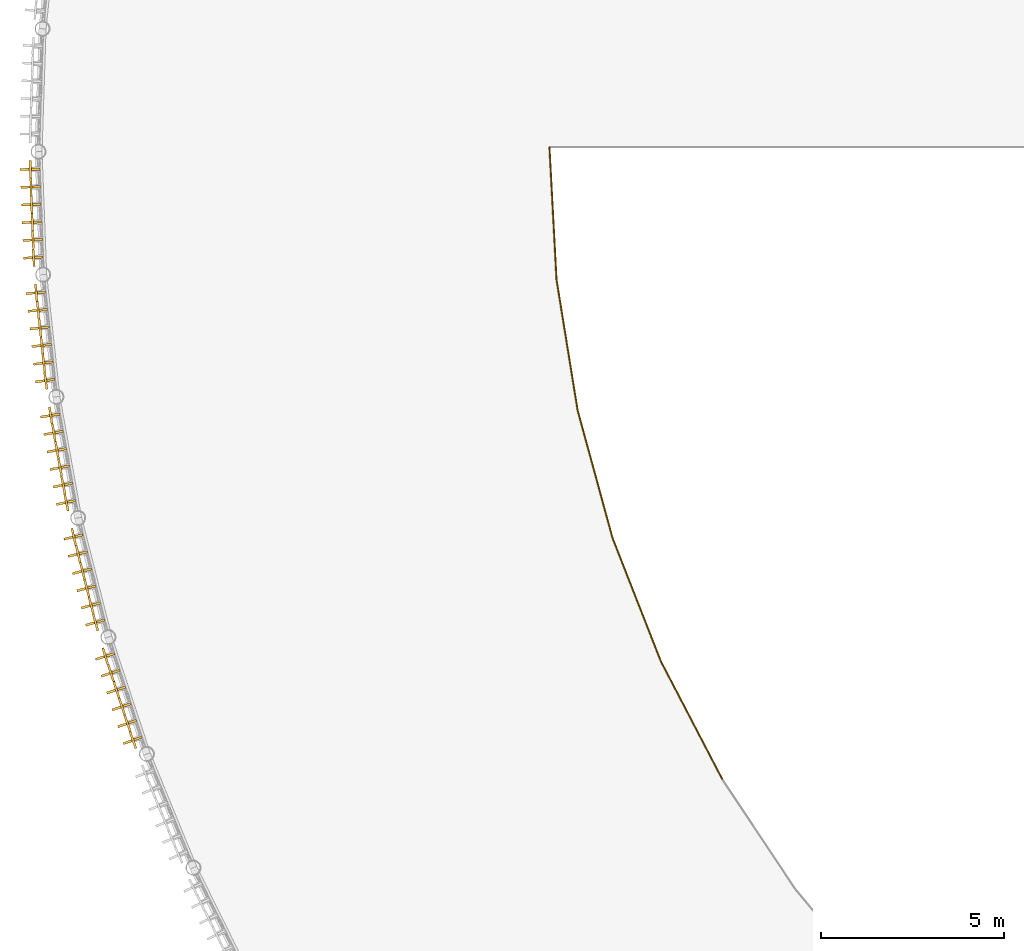
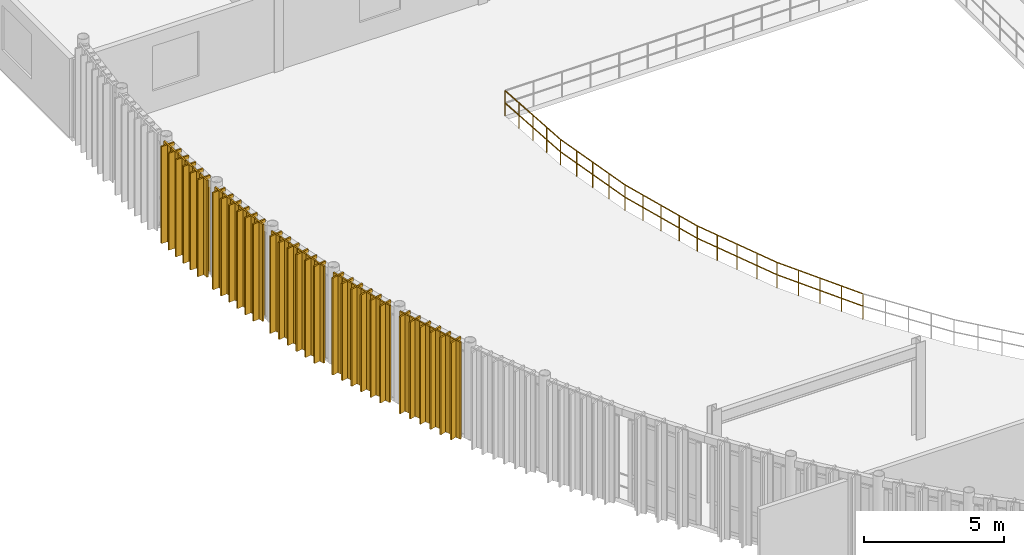
# One storey, part 49 of 54: 30 coverings, 30 shading devices, 5 railings.
"""IFC4 building model written with IfcOpenShell, lengths in metres."""

from ifc_helpers import new_model, si_unit, direction, frame, origin, origin_2d, place, context, subcontext, project, spatial, polyline, rectangle, circle, outline, extrude, material, layer, layer_set, material_profile, profile_set, type_object, element, save


model = new_model("IFC4")

# Units and contexts
model_context = context("Model", 3, precision=1e-05, world=origin(), true_north=direction((0.0, 1.0)))
body_context = subcontext(model_context, "Body", "Model", "MODEL_VIEW")
ifc_project = project(units=[si_unit("LENGTHUNIT", "METRE"), si_unit("AREAUNIT", "SQUARE_METRE"), si_unit("VOLUMEUNIT", "CUBIC_METRE"), si_unit("PLANEANGLEUNIT", "RADIAN"), si_unit("MASSUNIT", "GRAM", prefix="KILO")], contexts=[model_context])

# Site, building, storey
site_placement = place(None, origin())
site = spatial("IfcSite", under=ifc_project, at=site_placement, CompositionType="ELEMENT")
building_placement = place(site_placement, origin())
building = spatial("IfcBuilding", under=site, at=building_placement, Name="Selat Folded Stagehouse", CompositionType="ELEMENT")
storey_placement = place(building_placement, frame((0.0, 0.0, 15.0)))
storey = spatial("IfcBuildingStorey", under=building, at=storey_placement, Name="L03", CompositionType="ELEMENT", Elevation=15.0)

# Coverings
ifc_material_1 = material(Name="Bronze-anodised aluminium 6063-T6", Category="aluminium")
ifc_layer_1 = layer(ifc_material_1, 0.06005859375)
ifc_layer_set_1 = layer_set([ifc_layer_1], Name="Bronze-anodised aluminium 6063-T6")
covering_type = type_object("IfcCoveringType", Name="COV-FIN-BRZ42", PredefinedType="CLADDING", material=ifc_layer_set_1)
covering_1_placement = place(storey_placement, frame((0.0, 0.0, -0.10009765625)))
element("IfcCovering", 1, at=covering_1_placement, inside=storey, type_object=covering_type, Name="L03 drum bronze fin cladding sheath 070", PredefinedType="CLADDING", context=body_context, shape_type="SweptSolid", body=[
    extrude(outline(polyline([(0.037841796875, 47.432861328125), (-0.502197265625, 47.42626953125), (-0.50146484375, 47.3623046875), (0.03857421875, 47.368896484375), (0.037841796875, 47.432861328125)])), origin(), (0.0, 0.0, 1.0), 4.22021484375),
])
covering_2_placement = place(storey_placement, frame((0.0, 0.0, -0.10009765625)))
element("IfcCovering", 2, at=covering_2_placement, inside=storey, type_object=covering_type, Name="L03 drum bronze fin cladding sheath 076", PredefinedType="CLADDING", context=body_context, shape_type="SweptSolid", body=[
    extrude(outline(polyline([(0.055419921875, 46.9521484375), (-0.484375, 46.93994140625), (-0.48291015625, 46.8759765625), (0.056884765625, 46.88818359375), (0.055419921875, 46.9521484375)])), origin(), (0.0, 0.0, 1.0), 4.22021484375),
])
covering_3_placement = place(storey_placement, frame((0.0, 0.0, -0.10009765625)))
element("IfcCovering", 3, at=covering_3_placement, inside=storey, type_object=covering_type, Name="L03 drum bronze fin cladding sheath 082", PredefinedType="CLADDING", context=body_context, shape_type="SweptSolid", body=[
    extrude(outline(polyline([(0.0732421875, 46.471435546875), (-0.46630859375, 46.453857421875), (-0.46435546875, 46.389892578125), (0.075439453125, 46.407470703125), (0.0732421875, 46.471435546875)])), origin(), (0.0, 0.0, 1.0), 4.22021484375),
])
covering_4_placement = place(storey_placement, frame((0.0, 0.0, -0.10009765625)))
element("IfcCovering", 4, at=covering_4_placement, inside=storey, type_object=covering_type, Name="L03 drum bronze fin cladding sheath 088", PredefinedType="CLADDING", context=body_context, shape_type="SweptSolid", body=[
    extrude(outline(polyline([(0.091064453125, 45.99072265625), (-0.448486328125, 45.9677734375), (-0.44580078125, 45.90380859375), (0.09375, 45.9267578125), (0.091064453125, 45.99072265625)])), origin(), (0.0, 0.0, 1.0), 4.22021484375),
])
covering_5_placement = place(storey_placement, frame((0.0, 0.0, -0.10009765625)))
element("IfcCovering", 5, at=covering_5_placement, inside=storey, type_object=covering_type, Name="L03 drum bronze fin cladding sheath 094", PredefinedType="CLADDING", context=body_context, shape_type="SweptSolid", body=[
    extrude(outline(polyline([(0.10888671875, 45.510009765625), (-0.430419921875, 45.4814453125), (-0.427001953125, 45.41748046875), (0.1123046875, 45.446044921875), (0.10888671875, 45.510009765625)])), origin(), (0.0, 0.0, 1.0), 4.22021484375),
])
covering_6_placement = place(storey_placement, frame((0.0, 0.0, -0.10009765625)))
element("IfcCovering", 6, at=covering_6_placement, inside=storey, type_object=covering_type, Name="L03 drum bronze fin cladding sheath 100", PredefinedType="CLADDING", context=body_context, shape_type="SweptSolid", body=[
    extrude(outline(polyline([(0.126708984375, 45.029052734375), (-0.412353515625, 44.995361328125), (-0.408447265625, 44.931396484375), (0.130615234375, 44.96533203125), (0.126708984375, 45.029052734375)])), origin(), (0.0, 0.0, 1.0), 4.22021484375),
])
covering_7_placement = place(storey_placement, frame((0.0, 0.0, -0.10009765625)))
element("IfcCovering", 7, at=covering_7_placement, inside=storey, type_object=covering_type, Name="L03 drum bronze fin cladding sheath 106", PredefinedType="CLADDING", context=body_context, shape_type="SweptSolid", body=[
    extrude(outline(polyline([(0.19580078125, 44.070068359375), (-0.34228515625, 44.025390625), (-0.337158203125, 43.961669921875), (0.200927734375, 44.00634765625), (0.19580078125, 44.070068359375)])), origin(), (0.0, 0.0, 1.0), 4.22021484375),
])
covering_8_placement = place(storey_placement, frame((0.0, 0.0, -0.10009765625)))
element("IfcCovering", 8, at=covering_8_placement, inside=storey, type_object=covering_type, Name="L03 drum bronze fin cladding sheath 112", PredefinedType="CLADDING", context=body_context, shape_type="SweptSolid", body=[
    extrude(outline(polyline([(0.247314453125, 43.591796875), (-0.29052734375, 43.541748046875), (-0.28466796875, 43.47802734375), (0.253173828125, 43.528076171875), (0.247314453125, 43.591796875)])), origin(), (0.0, 0.0, 1.0), 4.22021484375),
])
covering_9_placement = place(storey_placement, frame((0.0, 0.0, -0.10009765625)))
element("IfcCovering", 9, at=covering_9_placement, inside=storey, type_object=covering_type, Name="L03 drum bronze fin cladding sheath 118", PredefinedType="CLADDING", context=body_context, shape_type="SweptSolid", body=[
    extrude(outline(polyline([(0.298583984375, 43.11328125), (-0.238525390625, 43.05810546875), (-0.23193359375, 42.994384765625), (0.30517578125, 43.0498046875), (0.298583984375, 43.11328125)])), origin(), (0.0, 0.0, 1.0), 4.22021484375),
])
covering_10_placement = place(storey_placement, frame((0.0, 0.0, -0.10009765625)))
element("IfcCovering", 10, at=covering_10_placement, inside=storey, type_object=covering_type, Name="L03 drum bronze fin cladding sheath 124", PredefinedType="CLADDING", context=body_context, shape_type="SweptSolid", body=[
    extrude(outline(polyline([(0.35009765625, 42.635009765625), (-0.1865234375, 42.57421875), (-0.17919921875, 42.5107421875), (0.357421875, 42.571533203125), (0.35009765625, 42.635009765625)])), origin(), (0.0, 0.0, 1.0), 4.22021484375),
])
covering_11_placement = place(storey_placement, frame((0.0, 0.0, -0.10009765625)))
element("IfcCovering", 11, at=covering_11_placement, inside=storey, type_object=covering_type, Name="L03 drum bronze fin cladding sheath 130", PredefinedType="CLADDING", context=body_context, shape_type="SweptSolid", body=[
    extrude(outline(polyline([(0.401611328125, 42.15673828125), (-0.134521484375, 42.090576171875), (-0.126708984375, 42.027099609375), (0.4091796875, 42.09326171875), (0.401611328125, 42.15673828125)])), origin(), (0.0, 0.0, 1.0), 4.22021484375),
])
covering_12_placement = place(storey_placement, frame((0.0, 0.0, -0.10009765625)))
element("IfcCovering", 12, at=covering_12_placement, inside=storey, type_object=covering_type, Name="L03 drum bronze fin cladding sheath 136", PredefinedType="CLADDING", context=body_context, shape_type="SweptSolid", body=[
    extrude(outline(polyline([(0.452880859375, 41.678466796875), (-0.082275390625, 41.606689453125), (-0.073974609375, 41.54345703125), (0.46142578125, 41.614990234375), (0.452880859375, 41.678466796875)])), origin(), (0.0, 0.0, 1.0), 4.22021484375),
])
covering_13_placement = place(storey_placement, frame((0.0, 0.0, -0.10009765625)))
element("IfcCovering", 13, at=covering_13_placement, inside=storey, type_object=covering_type, Name="L03 drum bronze fin cladding sheath 142", PredefinedType="CLADDING", context=body_context, shape_type="SweptSolid", body=[
    extrude(outline(polyline([(0.589111328125, 40.7265625), (0.055419921875, 40.644287109375), (0.065185546875, 40.5810546875), (0.598876953125, 40.6630859375), (0.589111328125, 40.7265625)])), origin(), (0.0, 0.0, 1.0), 4.22021484375),
])
covering_14_placement = place(storey_placement, frame((0.0, 0.0, -0.10009765625)))
element("IfcCovering", 14, at=covering_14_placement, inside=storey, type_object=covering_type, Name="L03 drum bronze fin cladding sheath 148", PredefinedType="CLADDING", context=body_context, shape_type="SweptSolid", body=[
    extrude(outline(polyline([(0.674072265625, 40.2529296875), (0.14111328125, 40.165283203125), (0.151611328125, 40.102294921875), (0.684326171875, 40.189697265625), (0.674072265625, 40.2529296875)])), origin(), (0.0, 0.0, 1.0), 4.22021484375),
])
covering_15_placement = place(storey_placement, frame((0.0, 0.0, -0.10009765625)))
element("IfcCovering", 15, at=covering_15_placement, inside=storey, type_object=covering_type, Name="L03 drum bronze fin cladding sheath 154", PredefinedType="CLADDING", context=body_context, shape_type="SweptSolid", body=[
    extrude(outline(polyline([(0.7587890625, 39.779296875), (0.22705078125, 39.6865234375), (0.238037109375, 39.623291015625), (0.77001953125, 39.71630859375), (0.7587890625, 39.779296875)])), origin(), (0.0, 0.0, 1.0), 4.22021484375),
])
covering_16_placement = place(storey_placement, frame((0.0, 0.0, -0.10009765625)))
element("IfcCovering", 16, at=covering_16_placement, inside=storey, type_object=covering_type, Name="L03 drum bronze fin cladding sheath 160", PredefinedType="CLADDING", context=body_context, shape_type="SweptSolid", body=[
    extrude(outline(polyline([(0.84375, 39.305908203125), (0.312744140625, 39.20751953125), (0.324462890625, 39.144775390625), (0.85546875, 39.242919921875), (0.84375, 39.305908203125)])), origin(), (0.0, 0.0, 1.0), 4.22021484375),
])
covering_17_placement = place(storey_placement, frame((0.0, 0.0, -0.10009765625)))
element("IfcCovering", 17, at=covering_17_placement, inside=storey, type_object=covering_type, Name="L03 drum bronze fin cladding sheath 166", PredefinedType="CLADDING", context=body_context, shape_type="SweptSolid", body=[
    extrude(outline(polyline([(0.9287109375, 38.832275390625), (0.398681640625, 38.728759765625), (0.410888671875, 38.666015625), (0.94091796875, 38.76953125), (0.9287109375, 38.832275390625)])), origin(), (0.0, 0.0, 1.0), 4.22021484375),
])
covering_18_placement = place(storey_placement, frame((0.0, 0.0, -0.10009765625)))
element("IfcCovering", 18, at=covering_18_placement, inside=storey, type_object=covering_type, Name="L03 drum bronze fin cladding sheath 172", PredefinedType="CLADDING", context=body_context, shape_type="SweptSolid", body=[
    extrude(outline(polyline([(1.013427734375, 38.35888671875), (0.484619140625, 38.25), (0.497314453125, 38.187255859375), (1.0263671875, 38.296142578125), (1.013427734375, 38.35888671875)])), origin(), (0.0, 0.0, 1.0), 4.22021484375),
])
covering_19_placement = place(storey_placement, frame((0.0, 0.0, -0.10009765625)))
element("IfcCovering", 19, at=covering_19_placement, inside=storey, type_object=covering_type, Name="L03 drum bronze fin cladding sheath 178", PredefinedType="CLADDING", context=body_context, shape_type="SweptSolid", body=[
    extrude(outline(polyline([(1.216064453125, 37.418701171875), (0.689453125, 37.29931640625), (0.70361328125, 37.23681640625), (1.230224609375, 37.3564453125), (1.216064453125, 37.418701171875)])), origin(), (0.0, 0.0, 1.0), 4.22021484375),
])
covering_20_placement = place(storey_placement, frame((0.0, 0.0, -0.10009765625)))
element("IfcCovering", 20, at=covering_20_placement, inside=storey, type_object=covering_type, Name="L03 drum bronze fin cladding sheath 184", PredefinedType="CLADDING", context=body_context, shape_type="SweptSolid", body=[
    extrude(outline(polyline([(1.333984375, 36.952392578125), (0.80859375, 36.82763671875), (0.823486328125, 36.765380859375), (1.348876953125, 36.89013671875), (1.333984375, 36.952392578125)])), origin(), (0.0, 0.0, 1.0), 4.22021484375),
])
covering_21_placement = place(storey_placement, frame((0.0, 0.0, -0.10009765625)))
element("IfcCovering", 21, at=covering_21_placement, inside=storey, type_object=covering_type, Name="L03 drum bronze fin cladding sheath 190", PredefinedType="CLADDING", context=body_context, shape_type="SweptSolid", body=[
    extrude(outline(polyline([(1.451904296875, 36.48583984375), (0.927734375, 36.35595703125), (0.943115234375, 36.293701171875), (1.46728515625, 36.423828125), (1.451904296875, 36.48583984375)])), origin(), (0.0, 0.0, 1.0), 4.22021484375),
])
covering_22_placement = place(storey_placement, frame((0.0, 0.0, -0.10009765625)))
element("IfcCovering", 22, at=covering_22_placement, inside=storey, type_object=covering_type, Name="L03 drum bronze fin cladding sheath 196", PredefinedType="CLADDING", context=body_context, shape_type="SweptSolid", body=[
    extrude(outline(polyline([(1.569580078125, 36.01953125), (1.046875, 35.88427734375), (1.06298828125, 35.822265625), (1.585693359375, 35.95751953125), (1.569580078125, 36.01953125)])), origin(), (0.0, 0.0, 1.0), 4.22021484375),
])
covering_23_placement = place(storey_placement, frame((0.0, 0.0, -0.10009765625)))
element("IfcCovering", 23, at=covering_23_placement, inside=storey, type_object=covering_type, Name="L03 drum bronze fin cladding sheath 202", PredefinedType="CLADDING", context=body_context, shape_type="SweptSolid", body=[
    extrude(outline(polyline([(1.6875, 35.552978515625), (1.166259765625, 35.41259765625), (1.182861328125, 35.350830078125), (1.7041015625, 35.4912109375), (1.6875, 35.552978515625)])), origin(), (0.0, 0.0, 1.0), 4.22021484375),
])
covering_24_placement = place(storey_placement, frame((0.0, 0.0, -0.10009765625)))
element("IfcCovering", 24, at=covering_24_placement, inside=storey, type_object=covering_type, Name="L03 drum bronze fin cladding sheath 208", PredefinedType="CLADDING", context=body_context, shape_type="SweptSolid", body=[
    extrude(outline(polyline([(1.805419921875, 35.086669921875), (1.285400390625, 34.94091796875), (1.302734375, 34.87939453125), (1.82275390625, 35.02490234375), (1.805419921875, 35.086669921875)])), origin(), (0.0, 0.0, 1.0), 4.22021484375),
])
covering_25_placement = place(storey_placement, frame((0.0, 0.0, -0.10009765625)))
element("IfcCovering", 25, at=covering_25_placement, inside=storey, type_object=covering_type, Name="L03 drum bronze fin cladding sheath 214", PredefinedType="CLADDING", context=body_context, shape_type="SweptSolid", body=[
    extrude(outline(polyline([(2.073486328125, 34.1630859375), (1.556640625, 34.007080078125), (1.5751953125, 33.94580078125), (2.092041015625, 34.101806640625), (2.073486328125, 34.1630859375)])), origin(), (0.0, 0.0, 1.0), 4.22021484375),
])
covering_26_placement = place(storey_placement, frame((0.0, 0.0, -0.10009765625)))
element("IfcCovering", 26, at=covering_26_placement, inside=storey, type_object=covering_type, Name="L03 drum bronze fin cladding sheath 220", PredefinedType="CLADDING", context=body_context, shape_type="SweptSolid", body=[
    extrude(outline(polyline([(2.223876953125, 33.706298828125), (1.70849609375, 33.544921875), (1.7275390625, 33.48388671875), (2.242919921875, 33.64501953125), (2.223876953125, 33.706298828125)])), origin(), (0.0, 0.0, 1.0), 4.22021484375),
])
covering_27_placement = place(storey_placement, frame((0.0, 0.0, -0.10009765625)))
element("IfcCovering", 27, at=covering_27_placement, inside=storey, type_object=covering_type, Name="L03 drum bronze fin cladding sheath 226", PredefinedType="CLADDING", context=body_context, shape_type="SweptSolid", body=[
    extrude(outline(polyline([(2.3740234375, 33.249267578125), (1.8603515625, 33.082763671875), (1.880126953125, 33.02197265625), (2.393798828125, 33.188232421875), (2.3740234375, 33.249267578125)])), origin(), (0.0, 0.0, 1.0), 4.22021484375),
])
covering_28_placement = place(storey_placement, frame((0.0, 0.0, -0.10009765625)))
element("IfcCovering", 28, at=covering_28_placement, inside=storey, type_object=covering_type, Name="L03 drum bronze fin cladding sheath 232", PredefinedType="CLADDING", context=body_context, shape_type="SweptSolid", body=[
    extrude(outline(polyline([(2.5244140625, 32.792236328125), (2.012451171875, 32.62060546875), (2.03271484375, 32.559814453125), (2.544921875, 32.7314453125), (2.5244140625, 32.792236328125)])), origin(), (0.0, 0.0, 1.0), 4.22021484375),
])
covering_29_placement = place(storey_placement, frame((0.0, 0.0, -0.10009765625)))
element("IfcCovering", 29, at=covering_29_placement, inside=storey, type_object=covering_type, Name="L03 drum bronze fin cladding sheath 238", PredefinedType="CLADDING", context=body_context, shape_type="SweptSolid", body=[
    extrude(outline(polyline([(2.6748046875, 32.335205078125), (2.16455078125, 32.158447265625), (2.185302734375, 32.097900390625), (2.69580078125, 32.274658203125), (2.6748046875, 32.335205078125)])), origin(), (0.0, 0.0, 1.0), 4.22021484375),
])
covering_30_placement = place(storey_placement, frame((0.0, 0.0, -0.10009765625)))
element("IfcCovering", 30, at=covering_30_placement, inside=storey, type_object=covering_type, Name="L03 drum bronze fin cladding sheath 244", PredefinedType="CLADDING", context=body_context, shape_type="SweptSolid", body=[
    extrude(outline(polyline([(2.824951171875, 31.878173828125), (2.31640625, 31.6962890625), (2.338134765625, 31.635986328125), (2.8466796875, 31.81787109375), (2.824951171875, 31.878173828125)])), origin(), (0.0, 0.0, 1.0), 4.22021484375),
])

# Railings
ifc_material_2 = material(Name="Bronze-anodised steel balustrade", Category="steel")
ifc_layer_2 = layer(ifc_material_2, 0.06494140625)
ifc_layer_set_2 = layer_set([ifc_layer_2], Name="Bronze-anodised steel balustrade")
railing_type = type_object("IfcRailingType", Name="RLG-BAL-1120", PredefinedType="BALUSTRADE", material=ifc_layer_set_2)
railing_1_placement = place(storey_placement, frame((18.72900390625, 30.70263671875, 0.0)))
element("IfcRailing", 31, at=railing_1_placement, inside=storey, type_object=railing_type, Name="L03 protective guard railing 104", PredefinedType="BALUSTRADE", context=body_context, shape_type="SweptSolid", body=[
    extrude(circle(Radius=0.02392578125, at=origin_2d()), frame((0.0, 0.0, 1.09619140625), z_axis=(-0.46214505825, 0.886804344337, 0.0), x_axis=(-0.886804344337, -0.46214505825, 0.0)), (0.0, 0.0, 1.0), 3.627685546875),
    extrude(circle(Radius=0.02392578125, at=origin_2d()), frame((0.0, 0.0, 0.56005859375), z_axis=(-0.46214505825, 0.886804344337, 0.0), x_axis=(-0.886804344337, -0.46214505825, 0.0)), (0.0, 0.0, 1.0), 3.627685546875),
    extrude(circle(Radius=0.02099609375, at=origin_2d()), origin(), (0.0, 0.0, 1.0), 1.072021484375),
    extrude(circle(Radius=0.02099609375, at=origin_2d()), frame((-0.419189453125, 0.80419921875, 0.0)), (0.0, 0.0, 1.0), 1.072021484375),
    extrude(circle(Radius=0.02099609375, at=origin_2d()), frame((-0.83837890625, 1.6083984375, 0.0)), (0.0, 0.0, 1.0), 1.072021484375),
    extrude(circle(Radius=0.02099609375, at=origin_2d()), frame((-1.25732421875, 2.412841796875, 0.0)), (0.0, 0.0, 1.0), 1.072021484375),
    extrude(circle(Radius=0.02099609375, at=origin_2d()), frame((-1.676513671875, 3.217041015625, 0.0)), (0.0, 0.0, 1.0), 1.072021484375),
])
railing_2_placement = place(storey_placement, frame((17.052490234375, 33.919677734375, 0.0)))
element("IfcRailing", 32, at=railing_2_placement, inside=storey, type_object=railing_type, Name="L03 protective guard railing 105", PredefinedType="BALUSTRADE", context=body_context, shape_type="SweptSolid", body=[
    extrude(circle(Radius=0.02392578125, at=origin_2d()), frame((0.0, 0.0, 1.09619140625), z_axis=(-0.364965148679, 0.931021181418, 0.0), x_axis=(-0.931021181418, -0.364965148679, 0.0)), (0.0, 0.0, 1.0), 3.627685546875),
    extrude(circle(Radius=0.02392578125, at=origin_2d()), frame((0.0, 0.0, 0.56005859375), z_axis=(-0.364965148679, 0.931021181418, 0.0), x_axis=(-0.931021181418, -0.364965148679, 0.0)), (0.0, 0.0, 1.0), 3.627685546875),
    extrude(circle(Radius=0.02099609375, at=origin_2d()), origin(), (0.0, 0.0, 1.0), 1.072021484375),
    extrude(circle(Radius=0.02099609375, at=origin_2d()), frame((-0.3310546875, 0.84423828125, 0.0)), (0.0, 0.0, 1.0), 1.072021484375),
    extrude(circle(Radius=0.02099609375, at=origin_2d()), frame((-0.662109375, 1.688720703125, 0.0)), (0.0, 0.0, 1.0), 1.072021484375),
    extrude(circle(Radius=0.02099609375, at=origin_2d()), frame((-0.992919921875, 2.533203125, 0.0)), (0.0, 0.0, 1.0), 1.072021484375),
    extrude(circle(Radius=0.02099609375, at=origin_2d()), frame((-1.323974609375, 3.37744140625, 0.0)), (0.0, 0.0, 1.0), 1.072021484375),
])
railing_3_placement = place(storey_placement, frame((15.728515625, 37.297119140625, 0.0)))
element("IfcRailing", 33, at=railing_3_placement, inside=storey, type_object=railing_type, Name="L03 protective guard railing 106", PredefinedType="BALUSTRADE", context=body_context, shape_type="SweptSolid", body=[
    extrude(circle(Radius=0.02392578125, at=origin_2d()), frame((0.0, 0.0, 1.09619140625), z_axis=(-0.263681127208, 0.964609902061, 0.0), x_axis=(-0.964609902061, -0.263681127208, 0.0)), (0.0, 0.0, 1.0), 3.627685546875),
    extrude(circle(Radius=0.02392578125, at=origin_2d()), frame((0.0, 0.0, 0.56005859375), z_axis=(-0.263681127208, 0.964609902061, 0.0), x_axis=(-0.964609902061, -0.263681127208, 0.0)), (0.0, 0.0, 1.0), 3.627685546875),
    extrude(circle(Radius=0.02099609375, at=origin_2d()), origin(), (0.0, 0.0, 1.0), 1.072021484375),
    extrude(circle(Radius=0.02099609375, at=origin_2d()), frame((-0.2392578125, 0.874755859375, 0.0)), (0.0, 0.0, 1.0), 1.072021484375),
    extrude(circle(Radius=0.02099609375, at=origin_2d()), frame((-0.478271484375, 1.74951171875, 0.0)), (0.0, 0.0, 1.0), 1.072021484375),
    extrude(circle(Radius=0.02099609375, at=origin_2d()), frame((-0.71728515625, 2.62451171875, 0.0)), (0.0, 0.0, 1.0), 1.072021484375),
    extrude(circle(Radius=0.02099609375, at=origin_2d()), frame((-0.95654296875, 3.499267578125, 0.0)), (0.0, 0.0, 1.0), 1.072021484375),
])
railing_4_placement = place(storey_placement, frame((14.77197265625, 40.79638671875, 0.0)))
element("IfcRailing", 34, at=railing_4_placement, inside=storey, type_object=railing_type, Name="L03 protective guard railing 107", PredefinedType="BALUSTRADE", context=body_context, shape_type="SweptSolid", body=[
    extrude(circle(Radius=0.02392578125, at=origin_2d()), frame((0.0, 0.0, 1.09619140625), z_axis=(-0.159441922412, 0.987207310233, 0.0), x_axis=(-0.987207310233, -0.159441922412, 0.0)), (0.0, 0.0, 1.0), 3.62744140625),
    extrude(circle(Radius=0.02392578125, at=origin_2d()), frame((0.0, 0.0, 0.56005859375), z_axis=(-0.159441922412, 0.987207310233, 0.0), x_axis=(-0.987207310233, -0.159441922412, 0.0)), (0.0, 0.0, 1.0), 3.62744140625),
    extrude(circle(Radius=0.02099609375, at=origin_2d()), origin(), (0.0, 0.0, 1.0), 1.072021484375),
    extrude(circle(Radius=0.02099609375, at=origin_2d()), frame((-0.14453125, 0.895263671875, 0.0)), (0.0, 0.0, 1.0), 1.072021484375),
    extrude(circle(Radius=0.02099609375, at=origin_2d()), frame((-0.2890625, 1.79052734375, 0.0)), (0.0, 0.0, 1.0), 1.072021484375),
    extrude(circle(Radius=0.02099609375, at=origin_2d()), frame((-0.433837890625, 2.685791015625, 0.0)), (0.0, 0.0, 1.0), 1.072021484375),
    extrude(circle(Radius=0.02099609375, at=origin_2d()), frame((-0.578369140625, 3.5810546875, 0.0)), (0.0, 0.0, 1.0), 1.072021484375),
])
railing_5_placement = place(storey_placement, frame((14.193603515625, 44.37744140625, 0.0)))
element("IfcRailing", 35, at=railing_5_placement, inside=storey, type_object=railing_type, Name="L03 protective guard railing 108", PredefinedType="BALUSTRADE", context=body_context, shape_type="SweptSolid", body=[
    extrude(circle(Radius=0.02392578125, at=origin_2d()), frame((0.0, 0.0, 1.09619140625), z_axis=(-0.05336769906, 0.998574928935, 0.0), x_axis=(-0.998574928935, -0.05336769906, 0.0)), (0.0, 0.0, 1.0), 3.627685546875),
    extrude(circle(Radius=0.02392578125, at=origin_2d()), frame((0.0, 0.0, 0.56005859375), z_axis=(-0.05336769906, 0.998574928935, 0.0), x_axis=(-0.998574928935, -0.05336769906, 0.0)), (0.0, 0.0, 1.0), 3.627685546875),
    extrude(circle(Radius=0.02099609375, at=origin_2d()), origin(), (0.0, 0.0, 1.0), 1.072021484375),
    extrude(circle(Radius=0.02099609375, at=origin_2d()), frame((-0.04833984375, 0.90576171875, 0.0)), (0.0, 0.0, 1.0), 1.072021484375),
    extrude(circle(Radius=0.02099609375, at=origin_2d()), frame((-0.0966796875, 1.811279296875, 0.0)), (0.0, 0.0, 1.0), 1.072021484375),
    extrude(circle(Radius=0.02099609375, at=origin_2d()), frame((-0.145263671875, 2.716796875, 0.0)), (0.0, 0.0, 1.0), 1.072021484375),
    extrude(circle(Radius=0.02099609375, at=origin_2d()), frame((-0.193603515625, 3.62255859375, 0.0)), (0.0, 0.0, 1.0), 1.072021484375),
])

# Shading devices
ifc_material_profile = material_profile(ifc_material_1, rectangle(XDim=0.06005859375, YDim=0.47998046875, at=origin_2d()), Name="SOLAR-FIN 480x60")
ifc_profile_set = profile_set([ifc_material_profile], Name="Bronze-anodised aluminium 6063-T6")
shading_device_type = type_object("IfcShadingDeviceType", Name="SHD-FIN-480x60", PredefinedType="USERDEFINED", material=ifc_profile_set)
for number, where, z_axis, x_axis, name in (
    (36, (-0.2216796875, 47.397705078125, -0.10009765625), (0.0, 0.0, 1.0), (-0.999921044204, -0.012566039883, 0.0), "L03 drum vertical bronze solar fin 070"),
    (37, (-0.20361328125, 46.914306640625, -0.10009765625), (0.0, 0.0, 1.0), (-0.999746553782, -0.022512845226, 0.0), "L03 drum vertical bronze solar fin 076"),
    (38, (-0.185546875, 46.430908203125, -0.10009765625), (0.0, 0.0, 1.0), (-0.999467438949, -0.032631862958, 0.0), "L03 drum vertical bronze solar fin 082"),
    (39, (-0.167236328125, 45.947509765625, -0.10009765625), (0.0, 0.0, 1.0), (-0.9990933519, -0.042573162788, 0.0), "L03 drum vertical bronze solar fin 088"),
    (40, (-0.149169921875, 45.46435546875, -0.10009765625), (0.0, 0.0, 1.0), (-0.998620385197, -0.052510249179, 0.0), "L03 drum vertical bronze solar fin 094"),
    (41, (-0.130859375, 44.98095703125, -0.10009765625), (0.0, 0.0, 1.0), (-0.99803767224, -0.06261633005, 0.0), "L03 drum vertical bronze solar fin 100"),
    (42, (-0.060791015625, 44.0166015625, -0.10009765625), (0.0, 0.0, 1.0), (-0.996579940078, -0.08263427276, 0.0), "L03 drum vertical bronze solar fin 106"),
    (43, (-0.0087890625, 43.535888671875, -0.10009765625), (0.0, 0.0, 1.0), (-0.99570856131, -0.092544372783, 0.0), "L03 drum vertical bronze solar fin 112"),
    (44, (0.043212890625, 43.054931640625, -0.10009765625), (0.0, 0.0, 1.0), (-0.994720742649, -0.10261892683, 0.0), "L03 drum vertical bronze solar fin 118"),
    (45, (0.09521484375, 42.573974609375, -0.10009765625), (0.0, 0.0, 1.0), (-0.993650644295, -0.112509542228, 0.0), "L03 drum vertical bronze solar fin 124"),
    (46, (0.1474609375, 42.093017578125, -0.10009765625), (0.0, 0.0, 1.0), (-0.992460828919, -0.122562241583, 0.0), "L03 drum vertical bronze solar fin 130"),
    (47, (0.199462890625, 41.6123046875, -0.10009765625), (0.0, 0.0, 1.0), (-0.99119244206, -0.13242938799, 0.0), "L03 drum vertical bronze solar fin 136"),
    (48, (0.337158203125, 40.6552734375, -0.10009765625), (0.0, 0.0, 1.0), (-0.988334944875, -0.152295885498, 0.0), "L03 drum vertical bronze solar fin 142"),
    (49, (0.422607421875, 40.17919921875, -0.10009765625), (0.0, 0.0, 1.0), (-0.986770965572, -0.162120515372, 0.0), "L03 drum vertical bronze solar fin 148"),
    (50, (0.50830078125, 39.703125, -0.10009765625), (0.0, 0.0, 1.0), (-0.985079303862, -0.172101031672, 0.0), "L03 drum vertical bronze solar fin 154"),
    (51, (0.593994140625, 39.22705078125, -0.10009765625), (0.0, 0.0, 1.0), (-0.983318459858, -0.181892293686, 0.0), "L03 drum vertical bronze solar fin 160"),
    (52, (0.6796875, 38.7509765625, -0.10009765625), (0.0, 0.0, 1.0), (-0.981426830534, -0.191836848149, 0.0), "L03 drum vertical bronze solar fin 166"),
    (53, (0.76513671875, 38.27490234375, -0.10009765625), (0.0, 0.0, 1.0), (-0.979469831173, -0.20159079796, 0.0), "L03 drum vertical bronze solar fin 172"),
    (54, (0.9697265625, 37.330078125, -0.10009765625), (0.0, 0.0, 1.0), (-0.975226629909, -0.22120809279, 0.0), "L03 drum vertical bronze solar fin 178"),
    (55, (1.08837890625, 36.861083984375, -0.10009765625), (0.0, 0.0, 1.0), (-0.972937431695, -0.231068721395, 0.0), "L03 drum vertical bronze solar fin 184"),
    (56, (1.207275390625, 36.392333984375, -0.10009765625), (0.0, 0.0, 1.0), (-0.970590565411, -0.240736275485, 0.0), "L03 drum vertical bronze solar fin 190"),
    (57, (1.325927734375, 35.92333984375, -0.10009765625), (0.0, 0.0, 1.0), (-0.968103926078, -0.25054897388, 0.0), "L03 drum vertical bronze solar fin 196"),
    (58, (1.44482421875, 35.45458984375, -0.10009765625), (0.0, 0.0, 1.0), (-0.965563505285, -0.260167479254, 0.0), "L03 drum vertical bronze solar fin 202"),
    (59, (1.563720703125, 34.985595703125, -0.10009765625), (0.0, 0.0, 1.0), (-0.962880426559, -0.26992829446, 0.0), "L03 drum vertical bronze solar fin 208"),
    (60, (1.833984375, 34.057373046875, -0.10009765625), (0.0, 0.0, 1.0), (-0.957319497532, -0.289031796944, 0.0), "L03 drum vertical bronze solar fin 214"),
    (61, (1.9853515625, 33.597900390625, -0.10009765625), (0.0, 0.0, 1.0), (-0.954344655307, -0.298707681332, 0.0), "L03 drum vertical bronze solar fin 220"),
    (62, (2.13671875, 33.138671875, -0.10009765625), (0.0, 0.0, 1.0), (-0.951325822325, -0.308186923436, 0.0), "L03 drum vertical bronze solar fin 226"),
    (63, (2.2880859375, 32.67919921875, -0.10009765625), (0.0, 0.0, 1.0), (-0.94815738489, -0.317801153992, 0.0), "L03 drum vertical bronze solar fin 232"),
    (64, (2.439453125, 32.219970703125, -0.10009765625), (0.0, 0.0, 1.0), (-0.944948912158, -0.327217898979, 0.0), "L03 drum vertical bronze solar fin 238"),
    (65, (2.591064453125, 31.760498046875, -0.10009765625), (0.0, 0.0, 1.0), (-0.941588155895, -0.336766602676, 0.0), "L03 drum vertical bronze solar fin 244"),
):
    element("IfcShadingDevice", number, at=place(storey_placement, frame(where, z_axis=z_axis, x_axis=x_axis)), inside=storey, type_object=shading_device_type, Name=name, ObjectType="FIN", PredefinedType="USERDEFINED", context=body_context, shape_type="SweptSolid", body=[
        extrude(rectangle(XDim=0.06005859375, YDim=0.47998046875, at=origin_2d()), origin(), (0.0, 0.0, 1.0), 4.22021484375),
    ])

save(model, "model.ifc")
